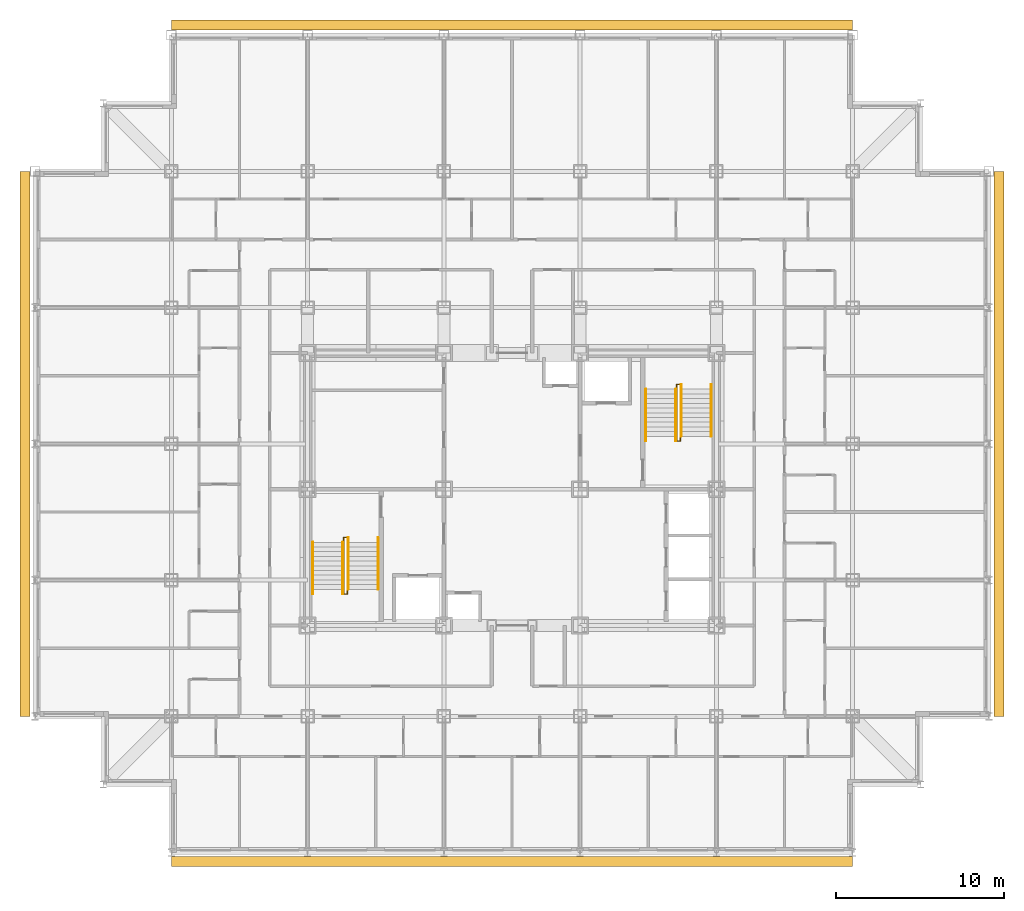
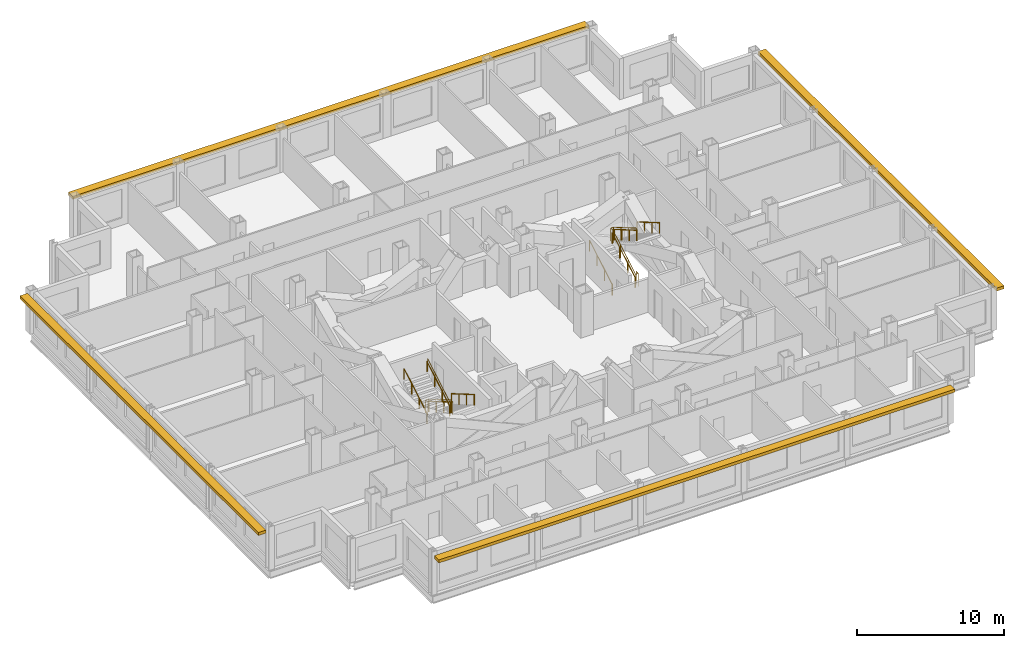
# One storey, part 12 of 12: 10 railings, 4 shading devices.
"""IFC4 building model written with IfcOpenShell, lengths in metres."""

from ifc_helpers import new_model, si_unit, direction, frame, origin, origin_2d, place, context, subcontext, project, spatial, rectangle, circle, extrude, material, type_object, element, save


model = new_model("IFC4")

# Units and contexts
model_context = context("Model", 3, precision=1e-05, world=origin(), true_north=direction((0.0, 1.0)))
body_context = subcontext(model_context, "Body", "Model", "MODEL_VIEW")
ifc_project = project(units=[si_unit("LENGTHUNIT", "METRE"), si_unit("AREAUNIT", "SQUARE_METRE"), si_unit("VOLUMEUNIT", "CUBIC_METRE"), si_unit("PLANEANGLEUNIT", "RADIAN"), si_unit("MASSUNIT", "GRAM", prefix="KILO")], contexts=[model_context])

# Site, building, storey
site_placement = place(None, origin())
site = spatial("IfcSite", under=ifc_project, at=site_placement, CompositionType="ELEMENT")
building_placement = place(site_placement, origin())
building = spatial("IfcBuilding", under=site, at=building_placement, Name="Kopane Lantern Tower", CompositionType="ELEMENT")
storey_placement = place(building_placement, frame((0.0, 0.0, 181.199951171875)))
storey = spatial("IfcBuildingStorey", under=building, at=storey_placement, Name="L46", CompositionType="ELEMENT", Elevation=181.199951171875)

# Railings
ifc_material_1 = material(Name="Steel", Category="steel")
railing_type_1 = type_object("IfcRailingType", Name="STAIR GUARD 1100", PredefinedType="GUARDRAIL", material=ifc_material_1)
railing_1_placement = place(storey_placement, frame((18.35009765625, 29.25, 0.0)))
element("IfcRailing", 1, at=railing_1_placement, inside=storey, type_object=railing_type_1, Name="ST1 well guard L46", PredefinedType="GUARDRAIL", context=body_context, shape_type="SweptSolid", body=[
    extrude(circle(Radius=0.02392578125, at=origin_2d()), frame((0.0, 0.0, 1.076171875), z_axis=(0.0, 1.0, 0.0), x_axis=(-1.0, 0.0, 0.0)), (0.0, 0.0, 1.0), 0.280029296875),
    extrude(circle(Radius=0.02392578125, at=origin_2d()), frame((0.0, 0.280029296875, 1.076171875), z_axis=(1.0, 0.0, 0.0), x_axis=(0.0, 1.0, 0.0)), (0.0, 0.0, 1.0), 0.199951171875),
    extrude(circle(Radius=0.02392578125, at=origin_2d()), frame((0.199951171875, 0.280029296875, 1.076171875), z_axis=(0.0, -0.863371556955, 0.504568681787), x_axis=(1.0, 0.0, 0.0)), (0.0, 0.0, 1.0), 3.5673828125),
    extrude(circle(Radius=0.02392578125, at=origin_2d()), frame((0.199951171875, -2.800048828125, 2.8759765625), z_axis=(0.0, -1.0, 0.0), x_axis=(1.0, 0.0, 0.0)), (0.0, 0.0, 1.0), 0.280029296875),
    extrude(circle(Radius=0.02392578125, at=origin_2d()), frame((0.199951171875, -3.080078125, 2.8759765625), z_axis=(-1.0, 0.0, 0.0), x_axis=(0.0, -1.0, 0.0)), (0.0, 0.0, 1.0), 0.199951171875),
    extrude(circle(Radius=0.02392578125, at=origin_2d()), frame((0.0, -3.080078125, 2.8759765625), z_axis=(0.0, 0.863371556955, 0.504568681787), x_axis=(-1.0, 0.0, 0.0)), (0.0, 0.0, 1.0), 3.5673828125),
    extrude(circle(Radius=0.02099609375, at=origin_2d()), origin(), (0.0, 0.0, 1.0), 1.052001953125),
    extrude(circle(Radius=0.02099609375, at=origin_2d()), frame((0.0, 0.280029296875, 0.0)), (0.0, 0.0, 1.0), 1.052001953125),
    extrude(circle(Radius=0.02099609375, at=origin_2d()), frame((0.199951171875, 0.280029296875, 0.0)), (0.0, 0.0, 1.0), 1.052001953125),
    extrude(circle(Radius=0.02099609375, at=origin_2d()), frame((0.199951171875, -0.74658203125, 0.60009765625)), (0.0, 0.0, 1.0), 1.052001953125),
    extrude(circle(Radius=0.02099609375, at=origin_2d()), frame((0.199951171875, -1.7734375, 1.199951171875)), (0.0, 0.0, 1.0), 1.052001953125),
    extrude(circle(Radius=0.02099609375, at=origin_2d()), frame((0.199951171875, -2.800048828125, 1.800048828125)), (0.0, 0.0, 1.0), 1.052001953125),
    extrude(circle(Radius=0.02099609375, at=origin_2d()), frame((0.199951171875, -3.080078125, 1.800048828125)), (0.0, 0.0, 1.0), 1.052001953125),
    extrude(circle(Radius=0.02099609375, at=origin_2d()), frame((0.0, -3.080078125, 1.800048828125)), (0.0, 0.0, 1.0), 1.052001953125),
    extrude(circle(Radius=0.02099609375, at=origin_2d()), frame((0.0, -2.053466796875, 2.400146484375)), (0.0, 0.0, 1.0), 1.052001953125),
    extrude(circle(Radius=0.02099609375, at=origin_2d()), frame((0.0, -1.026611328125, 3.0)), (0.0, 0.0, 1.0), 1.052001953125),
    extrude(circle(Radius=0.02099609375, at=origin_2d()), frame((0.0, 0.0, 3.60009765625)), (0.0, 0.0, 1.0), 1.052001953125),
])
railing_2_placement = place(storey_placement, frame((38.35009765625, 35.550048828125, 0.0)))
element("IfcRailing", 2, at=railing_2_placement, inside=storey, type_object=railing_type_1, Name="ST2 well guard L46", PredefinedType="GUARDRAIL", context=body_context, shape_type="SweptSolid", body=[
    extrude(circle(Radius=0.02392578125, at=origin_2d()), frame((0.0, 0.0, 1.076171875), z_axis=(0.0, -1.0, 0.0), x_axis=(1.0, 0.0, 0.0)), (0.0, 0.0, 1.0), 0.280029296875),
    extrude(circle(Radius=0.02392578125, at=origin_2d()), frame((0.0, -0.280029296875, 1.076171875), z_axis=(-1.0, 0.0, 0.0), x_axis=(0.0, -1.0, 0.0)), (0.0, 0.0, 1.0), 0.2001953125),
    extrude(circle(Radius=0.02392578125, at=origin_2d()), frame((-0.2001953125, -0.280029296875, 1.076171875), z_axis=(0.0, 0.863371556955, 0.504568681787), x_axis=(-1.0, 0.0, 0.0)), (0.0, 0.0, 1.0), 3.5673828125),
    extrude(circle(Radius=0.02392578125, at=origin_2d()), frame((-0.2001953125, 2.800048828125, 2.8759765625), z_axis=(0.0, 1.0, 0.0), x_axis=(-1.0, 0.0, 0.0)), (0.0, 0.0, 1.0), 0.27978515625),
    extrude(circle(Radius=0.02392578125, at=origin_2d()), frame((-0.2001953125, 3.079833984375, 2.8759765625), z_axis=(1.0, 0.0, 0.0), x_axis=(0.0, 1.0, 0.0)), (0.0, 0.0, 1.0), 0.2001953125),
    extrude(circle(Radius=0.02392578125, at=origin_2d()), frame((0.0, 3.079833984375, 2.8759765625), z_axis=(0.0, -0.863354132664, 0.504598495452), x_axis=(1.0, 0.0, 0.0)), (0.0, 0.0, 1.0), 3.5673828125),
    extrude(circle(Radius=0.02099609375, at=origin_2d()), origin(), (0.0, 0.0, 1.0), 1.052001953125),
    extrude(circle(Radius=0.02099609375, at=origin_2d()), frame((0.0, -0.280029296875, 0.0)), (0.0, 0.0, 1.0), 1.052001953125),
    extrude(circle(Radius=0.02099609375, at=origin_2d()), frame((-0.2001953125, -0.280029296875, 0.0)), (0.0, 0.0, 1.0), 1.052001953125),
    extrude(circle(Radius=0.02099609375, at=origin_2d()), frame((-0.2001953125, 0.74658203125, 0.60009765625)), (0.0, 0.0, 1.0), 1.052001953125),
    extrude(circle(Radius=0.02099609375, at=origin_2d()), frame((-0.2001953125, 1.7734375, 1.199951171875)), (0.0, 0.0, 1.0), 1.052001953125),
    extrude(circle(Radius=0.02099609375, at=origin_2d()), frame((-0.2001953125, 2.800048828125, 1.800048828125)), (0.0, 0.0, 1.0), 1.052001953125),
    extrude(circle(Radius=0.02099609375, at=origin_2d()), frame((-0.2001953125, 3.079833984375, 1.800048828125)), (0.0, 0.0, 1.0), 1.052001953125),
    extrude(circle(Radius=0.02099609375, at=origin_2d()), frame((0.0, 3.079833984375, 1.800048828125)), (0.0, 0.0, 1.0), 1.052001953125),
    extrude(circle(Radius=0.02099609375, at=origin_2d()), frame((0.0, 2.05322265625, 2.400146484375)), (0.0, 0.0, 1.0), 1.052001953125),
    extrude(circle(Radius=0.02099609375, at=origin_2d()), frame((0.0, 1.026611328125, 3.0)), (0.0, 0.0, 1.0), 1.052001953125),
    extrude(circle(Radius=0.02099609375, at=origin_2d()), frame((0.0, 0.0, 3.60009765625)), (0.0, 0.0, 1.0), 1.052001953125),
])
ifc_material_2 = material(Name="Steel", Category="steel")
railing_type_2 = type_object("IfcRailingType", Name="STAIR HANDRAIL 900", PredefinedType="HANDRAIL", material=ifc_material_2)
for number, where, name in (
    (3, (20.389892578125, 29.530029296875, 0.0), "ST1 handrail L46 flight 1"),
    (4, (18.610107421875, 29.530029296875, 0.0), "ST1 handrail L46 flight 1"),
):
    element("IfcRailing", number, at=place(storey_placement, frame(where)), inside=storey, type_object=railing_type_2, Name=name, PredefinedType="HANDRAIL", context=body_context, shape_type="SweptSolid", body=[
        extrude(circle(Radius=0.02392578125, at=origin_2d()), frame((0.0, 0.0, 0.8759765625), z_axis=(0.0, -0.863371556955, 0.504568681787), x_axis=(1.0, 0.0, 0.0)), (0.0, 0.0, 1.0), 3.5673828125),
        extrude(circle(Radius=0.02099609375, at=origin_2d()), origin(), (0.0, 0.0, 1.0), 0.851806640625),
        extrude(circle(Radius=0.02099609375, at=origin_2d()), frame((0.0, -1.026611328125, 0.60009765625)), (0.0, 0.0, 1.0), 0.851806640625),
        extrude(circle(Radius=0.02099609375, at=origin_2d()), frame((0.0, -2.053466796875, 1.199951171875)), (0.0, 0.0, 1.0), 0.851806640625),
        extrude(circle(Radius=0.02099609375, at=origin_2d()), frame((0.0, -3.080078125, 1.800048828125)), (0.0, 0.0, 1.0), 0.851806640625),
    ])
for number, where, name in (
    (5, (16.510009765625, 26.169921875, 1.800048828125), "ST1 handrail L46 flight 2"),
    (6, (18.2900390625, 26.169921875, 1.800048828125), "ST1 handrail L46 flight 2"),
    (7, (36.31005859375, 35.27001953125, 0.0), "ST2 handrail L46 flight 1"),
    (8, (38.090087890625, 35.27001953125, 0.0), "ST2 handrail L46 flight 1"),
):
    element("IfcRailing", number, at=place(storey_placement, frame(where)), inside=storey, type_object=railing_type_2, Name=name, PredefinedType="HANDRAIL", context=body_context, shape_type="SweptSolid", body=[
        extrude(circle(Radius=0.02392578125, at=origin_2d()), frame((0.0, 0.0, 0.8759765625), z_axis=(0.0, 0.863371556955, 0.504568681787), x_axis=(-1.0, 0.0, 0.0)), (0.0, 0.0, 1.0), 3.5673828125),
        extrude(circle(Radius=0.02099609375, at=origin_2d()), origin(), (0.0, 0.0, 1.0), 0.851806640625),
        extrude(circle(Radius=0.02099609375, at=origin_2d()), frame((0.0, 1.026611328125, 0.60009765625)), (0.0, 0.0, 1.0), 0.851806640625),
        extrude(circle(Radius=0.02099609375, at=origin_2d()), frame((0.0, 2.053466796875, 1.199951171875)), (0.0, 0.0, 1.0), 0.851806640625),
        extrude(circle(Radius=0.02099609375, at=origin_2d()), frame((0.0, 3.080078125, 1.800048828125)), (0.0, 0.0, 1.0), 0.851806640625),
    ])
for number, where, name in (
    (9, (40.18994140625, 38.6298828125, 1.800048828125), "ST2 handrail L46 flight 2"),
    (10, (38.409912109375, 38.6298828125, 1.800048828125), "ST2 handrail L46 flight 2"),
):
    element("IfcRailing", number, at=place(storey_placement, frame(where)), inside=storey, type_object=railing_type_2, Name=name, PredefinedType="HANDRAIL", context=body_context, shape_type="SweptSolid", body=[
        extrude(circle(Radius=0.02392578125, at=origin_2d()), frame((0.0, 0.0, 0.8759765625), z_axis=(0.0, -0.863354132664, 0.504598495452), x_axis=(1.0, 0.0, 0.0)), (0.0, 0.0, 1.0), 3.5673828125),
        extrude(circle(Radius=0.02099609375, at=origin_2d()), origin(), (0.0, 0.0, 1.0), 0.851806640625),
        extrude(circle(Radius=0.02099609375, at=origin_2d()), frame((0.0, -1.026611328125, 0.60009765625)), (0.0, 0.0, 1.0), 0.851806640625),
        extrude(circle(Radius=0.02099609375, at=origin_2d()), frame((0.0, -2.05322265625, 1.199951171875)), (0.0, 0.0, 1.0), 0.851806640625),
        extrude(circle(Radius=0.02099609375, at=origin_2d()), frame((0.0, -3.079833984375, 1.800048828125)), (0.0, 0.0, 1.0), 0.851806640625),
    ])

# Shading devices
ifc_material_3 = material(Name="Terracotta rainscreen on light steel framing", Category="masonry")
shading_device_type = type_object("IfcShadingDeviceType", Name="SUNSHADE BAND SB1 600 TERRACOTTA", PredefinedType="USERDEFINED", material=ifc_material_3)
shading_device_1_placement = place(storey_placement, frame((28.35009765625, 10.2626953125, 3.0), z_axis=(0.0, 0.0, 1.0), x_axis=(1.0, 0.0, 0.0)))
element("IfcShadingDevice", 11, at=shading_device_1_placement, inside=storey, type_object=shading_device_type, Name="Sunshade band S L46", ObjectType="SUNSHADE BAND", PredefinedType="USERDEFINED", context=body_context, shape_type="SweptSolid", body=[
    extrude(rectangle(XDim=40.5, YDim=0.60009765625, at=origin_2d()), origin(), (0.0, 0.0, 1.0), 0.25),
])
shading_device_2_placement = place(storey_placement, frame((57.300048828125, 35.10009765625, 3.0), z_axis=(0.0, 0.0, 1.0), x_axis=(0.0, 1.0, 0.0)))
element("IfcShadingDevice", 12, at=shading_device_2_placement, inside=storey, type_object=shading_device_type, Name="Sunshade band E L46", ObjectType="SUNSHADE BAND", PredefinedType="USERDEFINED", context=body_context, shape_type="SweptSolid", body=[
    extrude(rectangle(XDim=32.39990234375, YDim=0.60009765625, at=origin_2d()), origin(), (0.0, 0.0, 1.0), 0.25),
])
shading_device_3_placement = place(storey_placement, frame((28.35009765625, 60.0, 3.0), z_axis=(0.0, 0.0, 1.0), x_axis=(-1.0, 0.0, 0.0)))
element("IfcShadingDevice", 13, at=shading_device_3_placement, inside=storey, type_object=shading_device_type, Name="Sunshade band N L46", ObjectType="SUNSHADE BAND", PredefinedType="USERDEFINED", context=body_context, shape_type="SweptSolid", body=[
    extrude(rectangle(XDim=40.5, YDim=0.60009765625, at=origin_2d()), origin(), (0.0, 0.0, 1.0), 0.25),
])
shading_device_4_placement = place(storey_placement, frame((-0.60009765625, 35.10009765625, 3.0), z_axis=(0.0, 0.0, 1.0), x_axis=(0.0, -1.0, 0.0)))
element("IfcShadingDevice", 14, at=shading_device_4_placement, inside=storey, type_object=shading_device_type, Name="Sunshade band W L46", ObjectType="SUNSHADE BAND", PredefinedType="USERDEFINED", context=body_context, shape_type="SweptSolid", body=[
    extrude(rectangle(XDim=32.39990234375, YDim=0.60009765625, at=origin_2d()), origin(), (0.0, 0.0, 1.0), 0.25),
])

save(model, "model.ifc")
